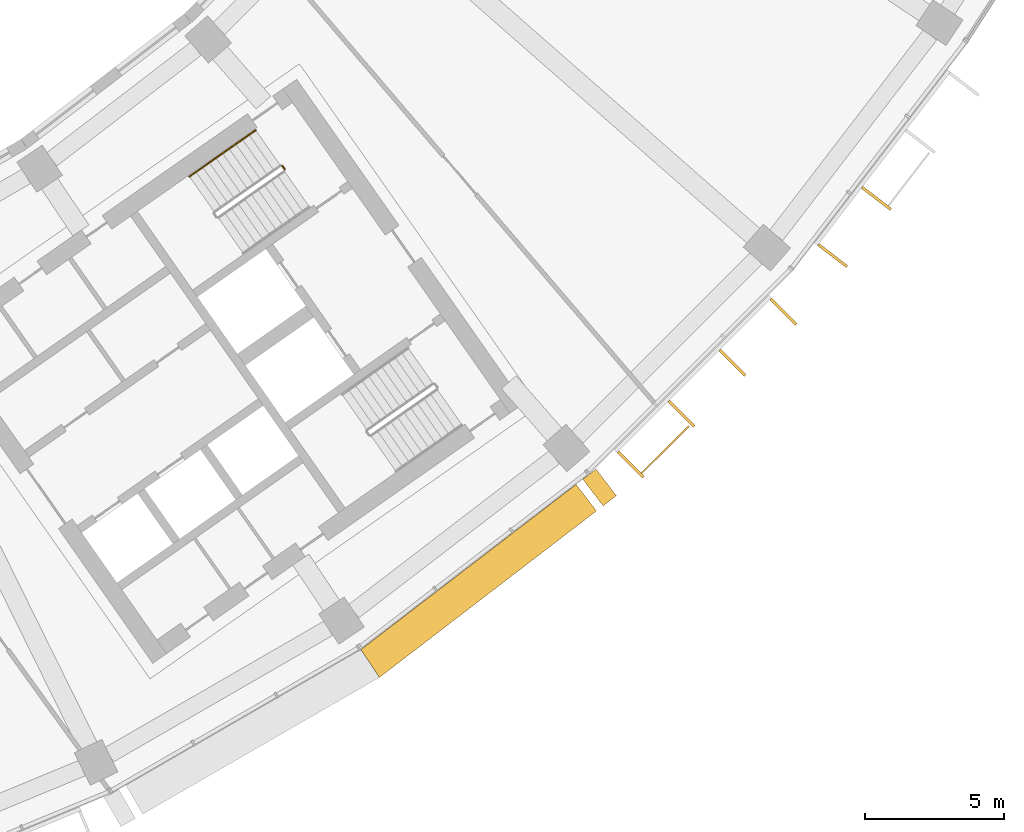
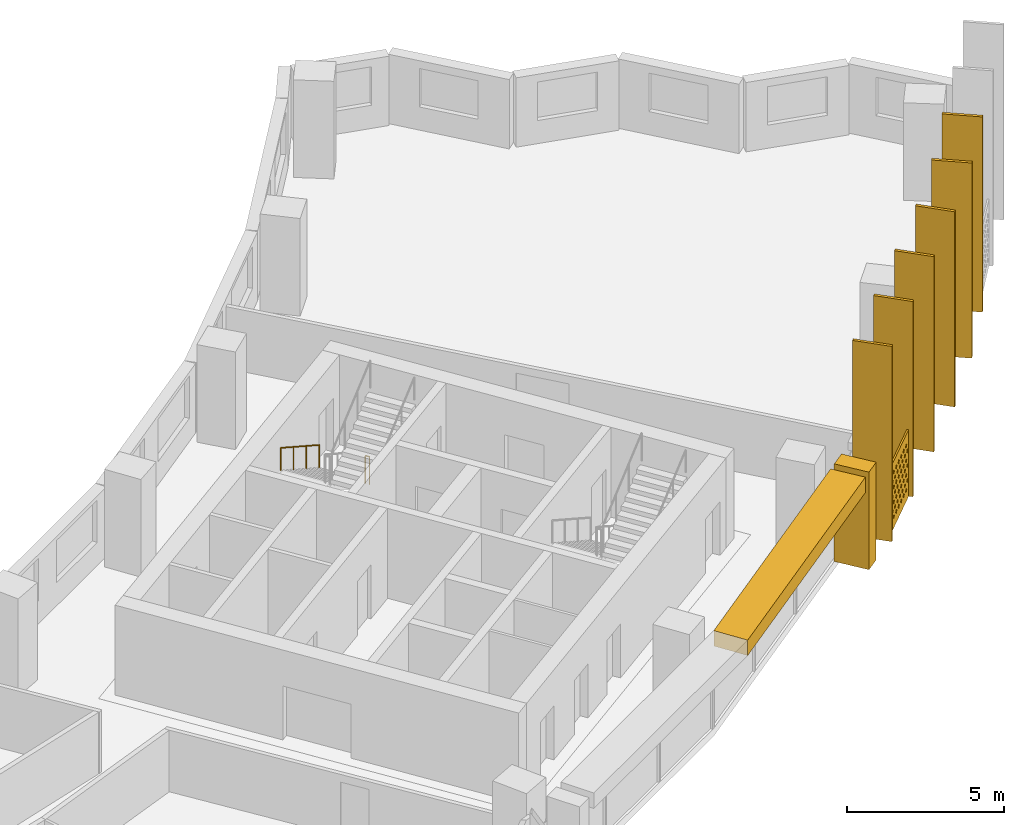
# One storey, part 26 of 27: 9 shading devices, 2 railings.
"""IFC4 building model written with IfcOpenShell, lengths in metres."""

from ifc_helpers import new_model, si_unit, direction, frame, origin, origin_2d, place, context, subcontext, project, spatial, polyline, rectangle, circle, outline, extrude, material, material_profile, profile_set, type_object, element, save


model = new_model("IFC4")

# Units and contexts
model_context = context("Model", 3, precision=1e-05, world=origin(), true_north=direction((0.0, 1.0)))
body_context = subcontext(model_context, "Body", "Model", "MODEL_VIEW")
ifc_project = project(units=[si_unit("LENGTHUNIT", "METRE"), si_unit("AREAUNIT", "SQUARE_METRE"), si_unit("VOLUMEUNIT", "CUBIC_METRE"), si_unit("PLANEANGLEUNIT", "RADIAN"), si_unit("MASSUNIT", "GRAM", prefix="KILO")], contexts=[model_context])

# Site, building, storey
site_placement = place(None, origin())
site = spatial("IfcSite", under=ifc_project, at=site_placement, CompositionType="ELEMENT")
building_placement = place(site_placement, origin())
building = spatial("IfcBuilding", under=site, at=building_placement, Name="Qamariyya Broadcast Tower", CompositionType="ELEMENT")
storey_placement = place(building_placement, frame((0.0, 0.0, 164.5)))
storey = spatial("IfcBuildingStorey", under=building, at=storey_placement, Name="L38", CompositionType="ELEMENT", Elevation=164.5)

# Shading devices
ifc_material_1 = material(Name="Steel S355 powder coated deep red", Category="steel")
shading_device_type_1 = type_object("IfcShadingDeviceType", Name="Deep red frame, powder coated steel box section", PredefinedType="USERDEFINED", material=ifc_material_1)
shading_device_1_placement = place(storey_placement, origin())
element("IfcShadingDevice", 1, at=shading_device_1_placement, inside=storey, type_object=shading_device_type_1, Name="e-frm-B3-F4-postb-L38", ObjectType="FRAME", PredefinedType="USERDEFINED", context=body_context, shape_type="SweptSolid", body=[
    extrude(outline(polyline([(51.850341796875, -59.577880859375), (52.580810546875, -60.530029296875), (53.056884765625, -60.164794921875), (52.326416015625, -59.212646484375), (51.850341796875, -59.577880859375)])), origin(), (0.0, 0.0, 1.0), 3.800048828125),
])
shading_device_2_placement = place(storey_placement, frame((0.0, 0.0, 3.199951171875)))
element("IfcShadingDevice", 2, at=shading_device_2_placement, inside=storey, type_object=shading_device_type_1, Name="e-frm-B3-F4-top1", ObjectType="FRAME", PredefinedType="USERDEFINED", context=body_context, shape_type="SweptSolid", body=[
    extrude(outline(polyline([(43.89013671875, -65.68603515625), (44.55810546875, -66.68603515625), (52.3427734375, -60.712646484375), (51.6123046875, -59.760498046875), (43.89013671875, -65.68603515625)])), origin(), (0.0, 0.0, 1.0), 0.60009765625),
])
ifc_material_2 = material(Name="Perforated glazed terracotta", Category="masonry")
ifc_material_profile_1 = material_profile(ifc_material_2, outline(polyline([(-1.199951171875, -1.300048828125), (1.199951171875, -1.300048828125), (1.199951171875, 1.300048828125), (-1.199951171875, 1.300048828125), (-1.199951171875, -1.300048828125)]), holes=[polyline([(-0.81494140625, -0.86669921875), (-0.89990234375, -0.78173828125), (-0.985107421875, -0.86669921875), (-0.89990234375, -0.95166015625), (-0.81494140625, -0.86669921875)]), polyline([(-0.514892578125, -0.86669921875), (-0.60009765625, -0.78173828125), (-0.68505859375, -0.86669921875), (-0.60009765625, -0.95166015625), (-0.514892578125, -0.86669921875)]), polyline([(-0.215087890625, -0.86669921875), (-0.300048828125, -0.78173828125), (-0.385009765625, -0.86669921875), (-0.300048828125, -0.95166015625), (-0.215087890625, -0.86669921875)]), polyline([(0.0849609375, -0.86669921875), (0.0, -0.78173828125), (-0.0849609375, -0.86669921875), (0.0, -0.95166015625), (0.0849609375, -0.86669921875)]), polyline([(0.385009765625, -0.86669921875), (0.300048828125, -0.78173828125), (0.215087890625, -0.86669921875), (0.300048828125, -0.95166015625), (0.385009765625, -0.86669921875)]), polyline([(0.68505859375, -0.86669921875), (0.60009765625, -0.78173828125), (0.514892578125, -0.86669921875), (0.60009765625, -0.95166015625), (0.68505859375, -0.86669921875)]), polyline([(0.985107421875, -0.86669921875), (0.89990234375, -0.78173828125), (0.81494140625, -0.86669921875), (0.89990234375, -0.95166015625), (0.985107421875, -0.86669921875)]), polyline([(-0.965087890625, -0.577880859375), (-1.050048828125, -0.49267578125), (-1.135009765625, -0.577880859375), (-1.050048828125, -0.662841796875), (-0.965087890625, -0.577880859375)]), polyline([(-0.6650390625, -0.577880859375), (-0.75, -0.49267578125), (-0.8349609375, -0.577880859375), (-0.75, -0.662841796875), (-0.6650390625, -0.577880859375)]), polyline([(-0.364990234375, -0.577880859375), (-0.449951171875, -0.49267578125), (-0.534912109375, -0.577880859375), (-0.449951171875, -0.662841796875), (-0.364990234375, -0.577880859375)]), polyline([(-0.06494140625, -0.577880859375), (-0.14990234375, -0.49267578125), (-0.235107421875, -0.577880859375), (-0.14990234375, -0.662841796875), (-0.06494140625, -0.577880859375)]), polyline([(0.235107421875, -0.577880859375), (0.14990234375, -0.49267578125), (0.06494140625, -0.577880859375), (0.14990234375, -0.662841796875), (0.235107421875, -0.577880859375)]), polyline([(0.534912109375, -0.577880859375), (0.449951171875, -0.49267578125), (0.364990234375, -0.577880859375), (0.449951171875, -0.662841796875), (0.534912109375, -0.577880859375)]), polyline([(0.8349609375, -0.577880859375), (0.75, -0.49267578125), (0.6650390625, -0.577880859375), (0.75, -0.662841796875), (0.8349609375, -0.577880859375)]), polyline([(1.135009765625, -0.577880859375), (1.050048828125, -0.49267578125), (0.965087890625, -0.577880859375), (1.050048828125, -0.662841796875), (1.135009765625, -0.577880859375)]), polyline([(-0.81494140625, -0.288818359375), (-0.89990234375, -0.203857421875), (-0.985107421875, -0.288818359375), (-0.89990234375, -0.373779296875), (-0.81494140625, -0.288818359375)]), polyline([(-0.514892578125, -0.288818359375), (-0.60009765625, -0.203857421875), (-0.68505859375, -0.288818359375), (-0.60009765625, -0.373779296875), (-0.514892578125, -0.288818359375)]), polyline([(-0.215087890625, -0.288818359375), (-0.300048828125, -0.203857421875), (-0.385009765625, -0.288818359375), (-0.300048828125, -0.373779296875), (-0.215087890625, -0.288818359375)]), polyline([(0.0849609375, -0.288818359375), (0.0, -0.203857421875), (-0.0849609375, -0.288818359375), (0.0, -0.373779296875), (0.0849609375, -0.288818359375)]), polyline([(0.385009765625, -0.288818359375), (0.300048828125, -0.203857421875), (0.215087890625, -0.288818359375), (0.300048828125, -0.373779296875), (0.385009765625, -0.288818359375)]), polyline([(0.68505859375, -0.288818359375), (0.60009765625, -0.203857421875), (0.514892578125, -0.288818359375), (0.60009765625, -0.373779296875), (0.68505859375, -0.288818359375)]), polyline([(0.985107421875, -0.288818359375), (0.89990234375, -0.203857421875), (0.81494140625, -0.288818359375), (0.89990234375, -0.373779296875), (0.985107421875, -0.288818359375)]), polyline([(-0.965087890625, 0.0), (-1.050048828125, 0.0849609375), (-1.135009765625, 0.0), (-1.050048828125, -0.0849609375), (-0.965087890625, 0.0)]), polyline([(-0.6650390625, 0.0), (-0.75, 0.0849609375), (-0.8349609375, 0.0), (-0.75, -0.0849609375), (-0.6650390625, 0.0)]), polyline([(-0.364990234375, 0.0), (-0.449951171875, 0.0849609375), (-0.534912109375, 0.0), (-0.449951171875, -0.0849609375), (-0.364990234375, 0.0)]), polyline([(-0.06494140625, 0.0), (-0.14990234375, 0.0849609375), (-0.235107421875, 0.0), (-0.14990234375, -0.0849609375), (-0.06494140625, 0.0)]), polyline([(0.235107421875, 0.0), (0.14990234375, 0.0849609375), (0.06494140625, 0.0), (0.14990234375, -0.0849609375), (0.235107421875, 0.0)]), polyline([(0.534912109375, 0.0), (0.449951171875, 0.0849609375), (0.364990234375, 0.0), (0.449951171875, -0.0849609375), (0.534912109375, 0.0)]), polyline([(0.8349609375, 0.0), (0.75, 0.0849609375), (0.6650390625, 0.0), (0.75, -0.0849609375), (0.8349609375, 0.0)]), polyline([(1.135009765625, 0.0), (1.050048828125, 0.0849609375), (0.965087890625, 0.0), (1.050048828125, -0.0849609375), (1.135009765625, 0.0)]), polyline([(-0.81494140625, 0.288818359375), (-0.89990234375, 0.373779296875), (-0.985107421875, 0.288818359375), (-0.89990234375, 0.203857421875), (-0.81494140625, 0.288818359375)]), polyline([(-0.514892578125, 0.288818359375), (-0.60009765625, 0.373779296875), (-0.68505859375, 0.288818359375), (-0.60009765625, 0.203857421875), (-0.514892578125, 0.288818359375)]), polyline([(-0.215087890625, 0.288818359375), (-0.300048828125, 0.373779296875), (-0.385009765625, 0.288818359375), (-0.300048828125, 0.203857421875), (-0.215087890625, 0.288818359375)]), polyline([(0.0849609375, 0.288818359375), (0.0, 0.373779296875), (-0.0849609375, 0.288818359375), (0.0, 0.203857421875), (0.0849609375, 0.288818359375)]), polyline([(0.385009765625, 0.288818359375), (0.300048828125, 0.373779296875), (0.215087890625, 0.288818359375), (0.300048828125, 0.203857421875), (0.385009765625, 0.288818359375)]), polyline([(0.68505859375, 0.288818359375), (0.60009765625, 0.373779296875), (0.514892578125, 0.288818359375), (0.60009765625, 0.203857421875), (0.68505859375, 0.288818359375)]), polyline([(0.985107421875, 0.288818359375), (0.89990234375, 0.373779296875), (0.81494140625, 0.288818359375), (0.89990234375, 0.203857421875), (0.985107421875, 0.288818359375)]), polyline([(-0.965087890625, 0.577880859375), (-1.050048828125, 0.662841796875), (-1.135009765625, 0.577880859375), (-1.050048828125, 0.49267578125), (-0.965087890625, 0.577880859375)]), polyline([(-0.6650390625, 0.577880859375), (-0.75, 0.662841796875), (-0.8349609375, 0.577880859375), (-0.75, 0.49267578125), (-0.6650390625, 0.577880859375)]), polyline([(-0.364990234375, 0.577880859375), (-0.449951171875, 0.662841796875), (-0.534912109375, 0.577880859375), (-0.449951171875, 0.49267578125), (-0.364990234375, 0.577880859375)]), polyline([(-0.06494140625, 0.577880859375), (-0.14990234375, 0.662841796875), (-0.235107421875, 0.577880859375), (-0.14990234375, 0.49267578125), (-0.06494140625, 0.577880859375)]), polyline([(0.235107421875, 0.577880859375), (0.14990234375, 0.662841796875), (0.06494140625, 0.577880859375), (0.14990234375, 0.49267578125), (0.235107421875, 0.577880859375)]), polyline([(0.534912109375, 0.577880859375), (0.449951171875, 0.662841796875), (0.364990234375, 0.577880859375), (0.449951171875, 0.49267578125), (0.534912109375, 0.577880859375)]), polyline([(0.8349609375, 0.577880859375), (0.75, 0.662841796875), (0.6650390625, 0.577880859375), (0.75, 0.49267578125), (0.8349609375, 0.577880859375)]), polyline([(1.135009765625, 0.577880859375), (1.050048828125, 0.662841796875), (0.965087890625, 0.577880859375), (1.050048828125, 0.49267578125), (1.135009765625, 0.577880859375)]), polyline([(-0.81494140625, 0.86669921875), (-0.89990234375, 0.95166015625), (-0.985107421875, 0.86669921875), (-0.89990234375, 0.78173828125), (-0.81494140625, 0.86669921875)]), polyline([(-0.514892578125, 0.86669921875), (-0.60009765625, 0.95166015625), (-0.68505859375, 0.86669921875), (-0.60009765625, 0.78173828125), (-0.514892578125, 0.86669921875)]), polyline([(-0.215087890625, 0.86669921875), (-0.300048828125, 0.95166015625), (-0.385009765625, 0.86669921875), (-0.300048828125, 0.78173828125), (-0.215087890625, 0.86669921875)]), polyline([(0.0849609375, 0.86669921875), (0.0, 0.95166015625), (-0.0849609375, 0.86669921875), (0.0, 0.78173828125), (0.0849609375, 0.86669921875)]), polyline([(0.385009765625, 0.86669921875), (0.300048828125, 0.95166015625), (0.215087890625, 0.86669921875), (0.300048828125, 0.78173828125), (0.385009765625, 0.86669921875)]), polyline([(0.68505859375, 0.86669921875), (0.60009765625, 0.95166015625), (0.514892578125, 0.86669921875), (0.60009765625, 0.78173828125), (0.68505859375, 0.86669921875)]), polyline([(0.985107421875, 0.86669921875), (0.89990234375, 0.95166015625), (0.81494140625, 0.86669921875), (0.89990234375, 0.78173828125), (0.985107421875, 0.86669921875)])]))
ifc_profile_set_1 = profile_set([ifc_material_profile_1], Name="Perforated glazed terracotta")
shading_device_type_2 = type_object("IfcShadingDeviceType", Name="Perforated terracotta screen 2400 x 2600", PredefinedType="USERDEFINED", material=ifc_profile_set_1)
shading_device_3_placement = place(storey_placement, frame((54.78369140625, -58.49609375, 1.35009765625), z_axis=(0.705066081692, -0.709141608176, 0.0), x_axis=(0.709141608176, 0.705066081692, 0.0)))
element("IfcShadingDevice", 3, at=shading_device_3_placement, inside=storey, type_object=shading_device_type_2, Name="e-scr-L38-13-0", ObjectType="SCREEN", PredefinedType="USERDEFINED", context=body_context, shape_type="SweptSolid", body=[
    extrude(outline(polyline([(-1.199951171875, -1.300048828125), (1.199951171875, -1.300048828125), (1.199951171875, 1.300048828125), (-1.199951171875, 1.300048828125), (-1.199951171875, -1.300048828125)]), holes=[polyline([(-0.81494140625, -0.86669921875), (-0.89990234375, -0.78173828125), (-0.985107421875, -0.86669921875), (-0.89990234375, -0.95166015625), (-0.81494140625, -0.86669921875)]), polyline([(-0.514892578125, -0.86669921875), (-0.60009765625, -0.78173828125), (-0.68505859375, -0.86669921875), (-0.60009765625, -0.95166015625), (-0.514892578125, -0.86669921875)]), polyline([(-0.215087890625, -0.86669921875), (-0.300048828125, -0.78173828125), (-0.385009765625, -0.86669921875), (-0.300048828125, -0.95166015625), (-0.215087890625, -0.86669921875)]), polyline([(0.0849609375, -0.86669921875), (0.0, -0.78173828125), (-0.0849609375, -0.86669921875), (0.0, -0.95166015625), (0.0849609375, -0.86669921875)]), polyline([(0.385009765625, -0.86669921875), (0.300048828125, -0.78173828125), (0.215087890625, -0.86669921875), (0.300048828125, -0.95166015625), (0.385009765625, -0.86669921875)]), polyline([(0.68505859375, -0.86669921875), (0.60009765625, -0.78173828125), (0.514892578125, -0.86669921875), (0.60009765625, -0.95166015625), (0.68505859375, -0.86669921875)]), polyline([(0.985107421875, -0.86669921875), (0.89990234375, -0.78173828125), (0.81494140625, -0.86669921875), (0.89990234375, -0.95166015625), (0.985107421875, -0.86669921875)]), polyline([(-0.965087890625, -0.577880859375), (-1.050048828125, -0.49267578125), (-1.135009765625, -0.577880859375), (-1.050048828125, -0.662841796875), (-0.965087890625, -0.577880859375)]), polyline([(-0.6650390625, -0.577880859375), (-0.75, -0.49267578125), (-0.8349609375, -0.577880859375), (-0.75, -0.662841796875), (-0.6650390625, -0.577880859375)]), polyline([(-0.364990234375, -0.577880859375), (-0.449951171875, -0.49267578125), (-0.534912109375, -0.577880859375), (-0.449951171875, -0.662841796875), (-0.364990234375, -0.577880859375)]), polyline([(-0.06494140625, -0.577880859375), (-0.14990234375, -0.49267578125), (-0.235107421875, -0.577880859375), (-0.14990234375, -0.662841796875), (-0.06494140625, -0.577880859375)]), polyline([(0.235107421875, -0.577880859375), (0.14990234375, -0.49267578125), (0.06494140625, -0.577880859375), (0.14990234375, -0.662841796875), (0.235107421875, -0.577880859375)]), polyline([(0.534912109375, -0.577880859375), (0.449951171875, -0.49267578125), (0.364990234375, -0.577880859375), (0.449951171875, -0.662841796875), (0.534912109375, -0.577880859375)]), polyline([(0.8349609375, -0.577880859375), (0.75, -0.49267578125), (0.6650390625, -0.577880859375), (0.75, -0.662841796875), (0.8349609375, -0.577880859375)]), polyline([(1.135009765625, -0.577880859375), (1.050048828125, -0.49267578125), (0.965087890625, -0.577880859375), (1.050048828125, -0.662841796875), (1.135009765625, -0.577880859375)]), polyline([(-0.81494140625, -0.288818359375), (-0.89990234375, -0.203857421875), (-0.985107421875, -0.288818359375), (-0.89990234375, -0.373779296875), (-0.81494140625, -0.288818359375)]), polyline([(-0.514892578125, -0.288818359375), (-0.60009765625, -0.203857421875), (-0.68505859375, -0.288818359375), (-0.60009765625, -0.373779296875), (-0.514892578125, -0.288818359375)]), polyline([(-0.215087890625, -0.288818359375), (-0.300048828125, -0.203857421875), (-0.385009765625, -0.288818359375), (-0.300048828125, -0.373779296875), (-0.215087890625, -0.288818359375)]), polyline([(0.0849609375, -0.288818359375), (0.0, -0.203857421875), (-0.0849609375, -0.288818359375), (0.0, -0.373779296875), (0.0849609375, -0.288818359375)]), polyline([(0.385009765625, -0.288818359375), (0.300048828125, -0.203857421875), (0.215087890625, -0.288818359375), (0.300048828125, -0.373779296875), (0.385009765625, -0.288818359375)]), polyline([(0.68505859375, -0.288818359375), (0.60009765625, -0.203857421875), (0.514892578125, -0.288818359375), (0.60009765625, -0.373779296875), (0.68505859375, -0.288818359375)]), polyline([(0.985107421875, -0.288818359375), (0.89990234375, -0.203857421875), (0.81494140625, -0.288818359375), (0.89990234375, -0.373779296875), (0.985107421875, -0.288818359375)]), polyline([(-0.965087890625, 0.0), (-1.050048828125, 0.0849609375), (-1.135009765625, 0.0), (-1.050048828125, -0.0849609375), (-0.965087890625, 0.0)]), polyline([(-0.6650390625, 0.0), (-0.75, 0.0849609375), (-0.8349609375, 0.0), (-0.75, -0.0849609375), (-0.6650390625, 0.0)]), polyline([(-0.364990234375, 0.0), (-0.449951171875, 0.0849609375), (-0.534912109375, 0.0), (-0.449951171875, -0.0849609375), (-0.364990234375, 0.0)]), polyline([(-0.06494140625, 0.0), (-0.14990234375, 0.0849609375), (-0.235107421875, 0.0), (-0.14990234375, -0.0849609375), (-0.06494140625, 0.0)]), polyline([(0.235107421875, 0.0), (0.14990234375, 0.0849609375), (0.06494140625, 0.0), (0.14990234375, -0.0849609375), (0.235107421875, 0.0)]), polyline([(0.534912109375, 0.0), (0.449951171875, 0.0849609375), (0.364990234375, 0.0), (0.449951171875, -0.0849609375), (0.534912109375, 0.0)]), polyline([(0.8349609375, 0.0), (0.75, 0.0849609375), (0.6650390625, 0.0), (0.75, -0.0849609375), (0.8349609375, 0.0)]), polyline([(1.135009765625, 0.0), (1.050048828125, 0.0849609375), (0.965087890625, 0.0), (1.050048828125, -0.0849609375), (1.135009765625, 0.0)]), polyline([(-0.81494140625, 0.288818359375), (-0.89990234375, 0.373779296875), (-0.985107421875, 0.288818359375), (-0.89990234375, 0.203857421875), (-0.81494140625, 0.288818359375)]), polyline([(-0.514892578125, 0.288818359375), (-0.60009765625, 0.373779296875), (-0.68505859375, 0.288818359375), (-0.60009765625, 0.203857421875), (-0.514892578125, 0.288818359375)]), polyline([(-0.215087890625, 0.288818359375), (-0.300048828125, 0.373779296875), (-0.385009765625, 0.288818359375), (-0.300048828125, 0.203857421875), (-0.215087890625, 0.288818359375)]), polyline([(0.0849609375, 0.288818359375), (0.0, 0.373779296875), (-0.0849609375, 0.288818359375), (0.0, 0.203857421875), (0.0849609375, 0.288818359375)]), polyline([(0.385009765625, 0.288818359375), (0.300048828125, 0.373779296875), (0.215087890625, 0.288818359375), (0.300048828125, 0.203857421875), (0.385009765625, 0.288818359375)]), polyline([(0.68505859375, 0.288818359375), (0.60009765625, 0.373779296875), (0.514892578125, 0.288818359375), (0.60009765625, 0.203857421875), (0.68505859375, 0.288818359375)]), polyline([(0.985107421875, 0.288818359375), (0.89990234375, 0.373779296875), (0.81494140625, 0.288818359375), (0.89990234375, 0.203857421875), (0.985107421875, 0.288818359375)]), polyline([(-0.965087890625, 0.577880859375), (-1.050048828125, 0.662841796875), (-1.135009765625, 0.577880859375), (-1.050048828125, 0.49267578125), (-0.965087890625, 0.577880859375)]), polyline([(-0.6650390625, 0.577880859375), (-0.75, 0.662841796875), (-0.8349609375, 0.577880859375), (-0.75, 0.49267578125), (-0.6650390625, 0.577880859375)]), polyline([(-0.364990234375, 0.577880859375), (-0.449951171875, 0.662841796875), (-0.534912109375, 0.577880859375), (-0.449951171875, 0.49267578125), (-0.364990234375, 0.577880859375)]), polyline([(-0.06494140625, 0.577880859375), (-0.14990234375, 0.662841796875), (-0.235107421875, 0.577880859375), (-0.14990234375, 0.49267578125), (-0.06494140625, 0.577880859375)]), polyline([(0.235107421875, 0.577880859375), (0.14990234375, 0.662841796875), (0.06494140625, 0.577880859375), (0.14990234375, 0.49267578125), (0.235107421875, 0.577880859375)]), polyline([(0.534912109375, 0.577880859375), (0.449951171875, 0.662841796875), (0.364990234375, 0.577880859375), (0.449951171875, 0.49267578125), (0.534912109375, 0.577880859375)]), polyline([(0.8349609375, 0.577880859375), (0.75, 0.662841796875), (0.6650390625, 0.577880859375), (0.75, 0.49267578125), (0.8349609375, 0.577880859375)]), polyline([(1.135009765625, 0.577880859375), (1.050048828125, 0.662841796875), (0.965087890625, 0.577880859375), (1.050048828125, 0.49267578125), (1.135009765625, 0.577880859375)]), polyline([(-0.81494140625, 0.86669921875), (-0.89990234375, 0.95166015625), (-0.985107421875, 0.86669921875), (-0.89990234375, 0.78173828125), (-0.81494140625, 0.86669921875)]), polyline([(-0.514892578125, 0.86669921875), (-0.60009765625, 0.95166015625), (-0.68505859375, 0.86669921875), (-0.60009765625, 0.78173828125), (-0.514892578125, 0.86669921875)]), polyline([(-0.215087890625, 0.86669921875), (-0.300048828125, 0.95166015625), (-0.385009765625, 0.86669921875), (-0.300048828125, 0.78173828125), (-0.215087890625, 0.86669921875)]), polyline([(0.0849609375, 0.86669921875), (0.0, 0.95166015625), (-0.0849609375, 0.86669921875), (0.0, 0.78173828125), (0.0849609375, 0.86669921875)]), polyline([(0.385009765625, 0.86669921875), (0.300048828125, 0.95166015625), (0.215087890625, 0.86669921875), (0.300048828125, 0.78173828125), (0.385009765625, 0.86669921875)]), polyline([(0.68505859375, 0.86669921875), (0.60009765625, 0.95166015625), (0.514892578125, 0.86669921875), (0.60009765625, 0.78173828125), (0.68505859375, 0.86669921875)]), polyline([(0.985107421875, 0.86669921875), (0.89990234375, 0.95166015625), (0.81494140625, 0.86669921875), (0.89990234375, 0.78173828125), (0.985107421875, 0.86669921875)])]), origin(), (0.0, 0.0, 1.0), 0.059814453125),
])

# Railings
ifc_material_3 = material(Name="Painted steel", Category="steel")
railing_type_1 = type_object("IfcRailingType", Name="Stair guard", PredefinedType="GUARDRAIL", material=ifc_material_3)
railing_1_placement = place(storey_placement, frame((41.072998046875, -48.332275390625, 0.0)))
element("IfcRailing", 4, at=railing_1_placement, inside=storey, type_object=railing_type_1, Name="L38 ST-E2 stair guard 3", PredefinedType="GUARDRAIL", context=body_context, shape_type="SweptSolid", body=[
    extrude(circle(Radius=0.02392578125, at=origin_2d()), frame((0.0, 0.0, 1.076171875), z_axis=(0.572588637393, -0.819842821722, 0.0), x_axis=(0.819842821722, 0.572588637393, 0.0)), (0.0, 0.0, 1.0), 0.150146484375),
    extrude(circle(Radius=0.02099609375, at=origin_2d()), origin(), (0.0, 0.0, 1.0), 1.052001953125),
    extrude(circle(Radius=0.02099609375, at=origin_2d()), frame((0.0859375, -0.123046875, 0.0)), (0.0, 0.0, 1.0), 1.052001953125),
])
ifc_material_4 = material(Name="Stainless steel", Category="steel")
railing_type_2 = type_object("IfcRailingType", Name="Stair handrail", PredefinedType="HANDRAIL", material=ifc_material_4)
railing_2_placement = place(storey_placement, frame((40.1142578125, -47.05029296875, 0.172607421875)))
element("IfcRailing", 5, at=railing_2_placement, inside=storey, type_object=railing_type_2, Name="L38 ST-E2 stair handrail 1", PredefinedType="HANDRAIL", context=body_context, shape_type="SweptSolid", body=[
    extrude(circle(Radius=0.02392578125, at=origin_2d()), frame((0.0, 0.0, 0.8759765625), z_axis=(-0.703745009021, -0.492838488332, 0.511715923826), x_axis=(0.573631830683, -0.819113253969, 0.0)), (0.0, 0.0, 1.0), 3.37548828125),
    extrude(circle(Radius=0.02099609375, at=origin_2d()), origin(), (0.0, 0.0, 1.0), 0.851806640625),
    extrude(circle(Radius=0.02099609375, at=origin_2d()), frame((-0.791748046875, -0.554443359375, 0.57568359375)), (0.0, 0.0, 1.0), 0.851806640625),
    extrude(circle(Radius=0.02099609375, at=origin_2d()), frame((-1.583740234375, -1.109130859375, 1.151611328125)), (0.0, 0.0, 1.0), 0.851806640625),
    extrude(circle(Radius=0.02099609375, at=origin_2d()), frame((-2.37548828125, -1.66357421875, 1.727294921875)), (0.0, 0.0, 1.0), 0.851806640625),
])

# Shading devices
ifc_material_5 = material(Name="Glazed terracotta", Category="masonry")
ifc_material_profile_2 = material_profile(ifc_material_5, rectangle(XDim=1.300048828125, YDim=0.10009765625, at=origin_2d()))
ifc_profile_set_2 = profile_set([ifc_material_profile_2], Name="Glazed terracotta")
shading_device_type_3 = type_object("IfcShadingDeviceType", Name="Terracotta fin 100 x 1300", PredefinedType="USERDEFINED", material=ifc_profile_set_2)
for number, where, z_axis, x_axis, name in (
    (6, (53.5673828125, -59.047607421875, 0.0), (0.0, 0.0, 1.0), (0.707106781187, -0.707106781187, 0.0), "e-fin-L38-13-0"),
    (7, (55.39404296875, -57.220947265625, 0.0), (0.0, 0.0, 1.0), (0.707106781187, -0.707106781187, 0.0), "e-fin-L38-13-1"),
    (8, (57.220947265625, -55.39404296875, 0.0), (0.0, 0.0, 1.0), (0.707106781187, -0.707106781187, 0.0), "e-fin-L38-13-2"),
    (9, (59.047607421875, -53.5673828125, 0.0), (0.0, 0.0, 1.0), (0.707106781187, -0.707106781187, 0.0), "e-fin-L38-13-3"),
    (10, (60.81640625, -51.550537109375, 0.0), (0.0, 0.0, 1.0), (0.793353340291, -0.608761429009, 0.0), "e-fin-L38-14-0"),
    (11, (62.38916015625, -49.5009765625, 0.0), (0.0, 0.0, 1.0), (0.793353340291, -0.608761429009, 0.0), "e-fin-L38-14-1"),
):
    element("IfcShadingDevice", number, at=place(storey_placement, frame(where, z_axis=z_axis, x_axis=x_axis)), inside=storey, type_object=shading_device_type_3, Name=name, ObjectType="FIN", PredefinedType="USERDEFINED", context=body_context, shape_type="SweptSolid", body=[
        extrude(rectangle(XDim=1.300048828125, YDim=0.10009765625, at=origin_2d()), origin(), (0.0, 0.0, 1.0), 7.60009765625),
    ])

save(model, "model.ifc")
